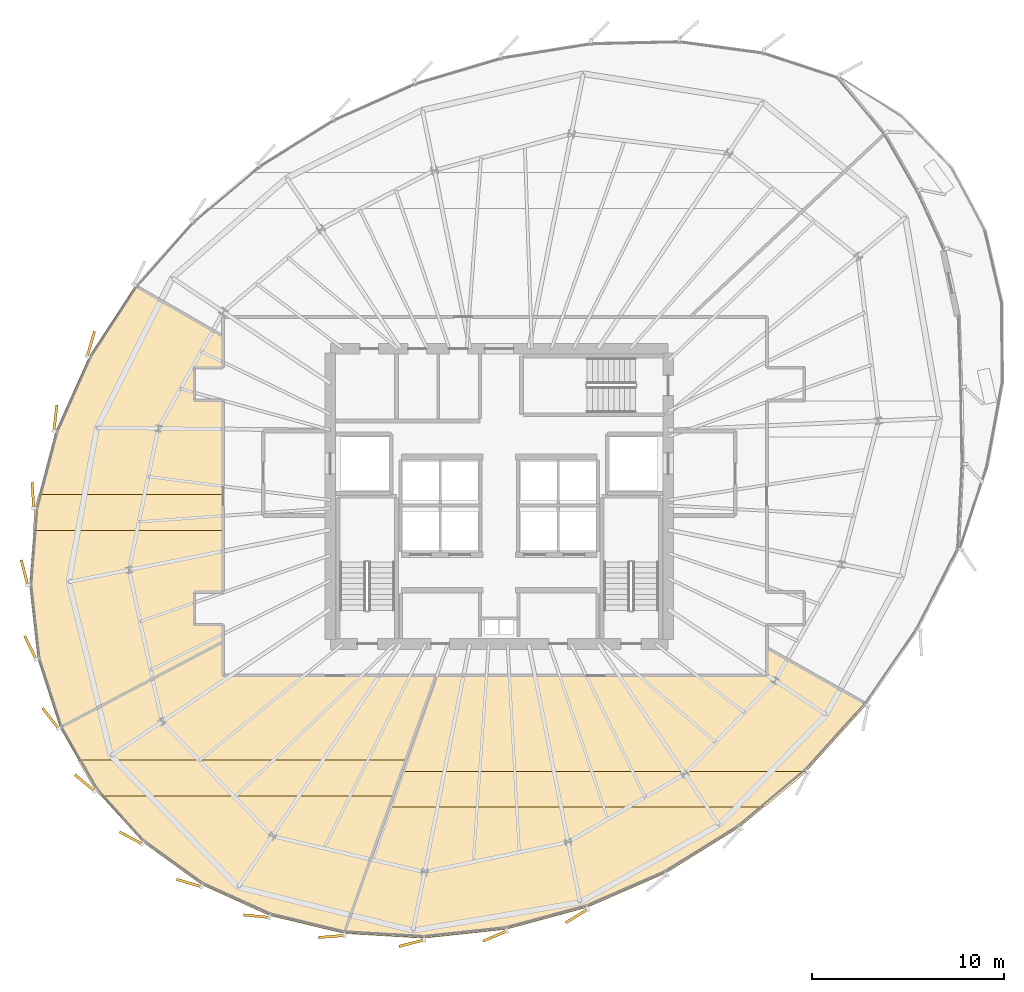
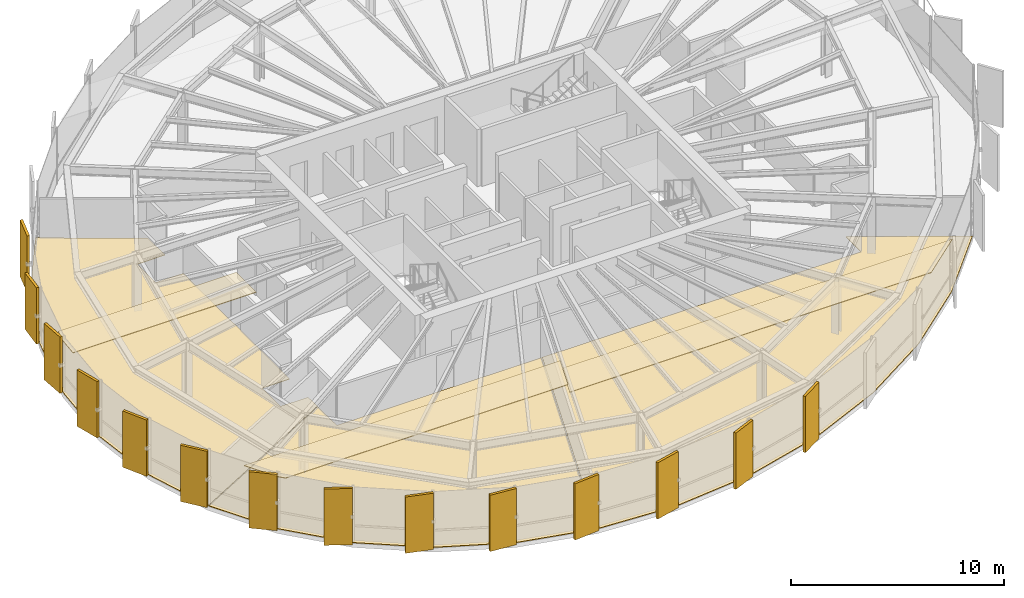
# One storey, part 33 of 35: 20 coverings.
"""IFC4 building model written with IfcOpenShell, lengths in metres."""

from ifc_helpers import new_model, si_unit, direction, frame, origin, origin_2d, place, context, subcontext, project, spatial, polyline, rectangle, outline, extrude, source, transform, mapped, material, layer, layer_set, type_object, element, save


model = new_model("IFC4")

# Units and contexts
model_context = context("Model", 3, precision=1e-05, world=origin(), true_north=direction((0.0, 1.0)))
body_context = subcontext(model_context, "Body", "Model", "MODEL_VIEW")
ifc_project = project(units=[si_unit("LENGTHUNIT", "METRE"), si_unit("AREAUNIT", "SQUARE_METRE"), si_unit("VOLUMEUNIT", "CUBIC_METRE"), si_unit("PLANEANGLEUNIT", "RADIAN"), si_unit("MASSUNIT", "GRAM", prefix="KILO"), si_unit("THERMODYNAMICTEMPERATUREUNIT", "KELVIN")], contexts=[model_context])

# Site, building, storey
site_placement = place(None, origin())
site = spatial("IfcSite", under=ifc_project, at=site_placement, CompositionType="ELEMENT")
building_placement = place(site_placement, origin())
building = spatial("IfcBuilding", under=site, at=building_placement, Name="Kethvar Cultural Tower", CompositionType="ELEMENT")
storey_placement = place(building_placement, frame((0.0, 0.0, 179.89990234375)))
storey = spatial("IfcBuildingStorey", under=building, at=storey_placement, Name="L46", CompositionType="ELEMENT", Elevation=179.89990234375)

# Coverings
ifc_material_1 = material(Name="Acoustic Mineral Fibre Ceiling")
ifc_layer_1 = layer(ifc_material_1, 0.0400390625, Name="Acoustic Mineral Fibre Ceiling")
ifc_layer_set_1 = layer_set([ifc_layer_1], Name="Acoustic Mineral Fibre Ceiling (40 mm)")
covering_type_1 = type_object("IfcCoveringType", Name="CV-ACOUSTIC-CEIL", PredefinedType="CEILING", material=ifc_layer_set_1)
covering_1_placement = place(storey_placement, frame((0.0, 0.0, 3.0)))
element("IfcCovering", 1, at=covering_1_placement, inside=storey, type_object=covering_type_1, Name="L46 Room 01 Acoustic Ceiling Panel", PredefinedType="CEILING", context=body_context, shape_type="SweptSolid", body=[
    extrude(outline(polyline([(25.731201171875, 12.489990234375), (24.835205078125, 14.047119140625), (41.957275390625, 14.047119140625), (41.2958984375, 12.177001953125), (26.013916015625, 12.177001953125), (25.731201171875, 12.489990234375)])), origin(), (0.0, 0.0, 1.0), 0.0400390625),
])
covering_2_placement = place(storey_placement, frame((0.0, 0.0, 3.0)))
element("IfcCovering", 2, at=covering_2_placement, inside=storey, type_object=covering_type_1, Name="L46 Room 02 Acoustic Ceiling Panel", PredefinedType="CEILING", context=body_context, shape_type="SweptSolid", body=[
    extrude(outline(polyline([(60.620849609375, 11.592041015625), (41.046630859375, 11.592041015625), (41.7080078125, 13.4619140625), (62.84423828125, 13.4619140625), (60.620849609375, 11.592041015625)])), origin(), (0.0, 0.0, 1.0), 0.0400390625),
])
covering_3_placement = place(storey_placement, frame((0.0, 0.0, 3.0)))
element("IfcCovering", 3, at=covering_3_placement, inside=storey, type_object=covering_type_1, Name="L46 Room 05 Acoustic Ceiling Panel", PredefinedType="CEILING", context=body_context, shape_type="SweptSolid", body=[
    extrude(outline(polyline([(22.591552734375, 27.177978515625), (22.777587890625, 27.891357421875), (32.419921875, 27.891357421875), (32.419921875, 26.021484375), (22.50048828125, 26.021484375), (22.591552734375, 27.177978515625)])), origin(), (0.0, 0.0, 1.0), 0.0400390625),
])
ifc_material_2 = material(Name="Honed Warm Limestone", Category="masonry")
ifc_layer_2 = layer(ifc_material_2, 0.030029296875, Name="Honed Warm Limestone", Category="masonry")
ifc_layer_set_2 = layer_set([ifc_layer_2], Name="Honed Warm Limestone (30 mm)")
covering_type_2 = type_object("IfcCoveringType", Name="CV-STONE-FLOOR", PredefinedType="FLOORING", material=ifc_layer_set_2)
covering_4_placement = place(storey_placement, origin())
element("IfcCovering", 4, at=covering_4_placement, inside=storey, type_object=covering_type_2, Name="L46 Room 01 Floor Finish", PredefinedType="FLOORING", context=body_context, shape_type="SweptSolid", body=[
    extrude(outline(polyline([(34.843017578125, 5.942138671875), (31.314697265625, 7.540283203125), (28.2568359375, 9.75390625), (25.762451171875, 12.51513671875), (23.916015625, 15.724853515625), (32.3798828125, 20.1826171875), (32.39599609375, 18.430419921875), (43.46484375, 18.429931640625), (38.719482421875, 5.01171875), (34.843017578125, 5.942138671875)])), origin(), (0.0, 0.0, 1.0), 0.030029296875),
])
covering_5_placement = place(storey_placement, origin())
element("IfcCovering", 5, at=covering_5_placement, inside=storey, type_object=covering_type_2, Name="L46 Room 02 Floor Finish", PredefinedType="FLOORING", context=body_context, shape_type="SweptSolid", body=[
    extrude(outline(polyline([(62.82373046875, 13.4970703125), (59.327880859375, 10.556640625), (55.48388671875, 8.164306640625), (51.3759765625, 6.36865234375), (47.129150390625, 5.224365234375), (42.872314453125, 4.76611328125), (38.760009765625, 5.00634765625), (43.50732421875, 18.429931640625), (60.751953125, 18.43017578125), (60.77001953125, 19.860595703125), (65.929931640625, 16.936767578125), (62.82373046875, 13.4970703125)])), origin(), (0.0, 0.0, 1.0), 0.030029296875),
])
covering_6_placement = place(storey_placement, origin())
element("IfcCovering", 6, at=covering_6_placement, inside=storey, type_object=covering_type_2, Name="L46 Room 05 Floor Finish", PredefinedType="FLOORING", context=body_context, shape_type="SweptSolid", body=[
    extrude(outline(polyline([(22.74658203125, 19.333251953125), (22.31689453125, 23.182861328125), (22.631103515625, 27.173095703125), (23.6796875, 31.182373046875), (25.430908203125, 35.08935546875), (27.822021484375, 38.760009765625), (32.3798828125, 36.122314453125), (32.3798828125, 34.52001953125), (30.8798828125, 34.5), (30.884521484375, 32.787353515625), (32.3798828125, 32.780029296875), (32.3798828125, 22.820068359375), (30.884521484375, 22.812744140625), (30.880126953125, 21.097900390625), (32.3798828125, 21.080078125), (32.3798828125, 20.227783203125), (23.900146484375, 15.76171875), (22.74658203125, 19.333251953125)])), origin(), (0.0, 0.0, 1.0), 0.030029296875),
])
ifc_material_3 = material(Name="Extruded Architectural Terracotta", Category="masonry")
ifc_layer_3 = layer(ifc_material_3, 0.135009765625, Name="Extruded Architectural Terracotta", Category="masonry")
ifc_layer_set_3 = layer_set([ifc_layer_3], Name="Extruded Architectural Terracotta (135 mm)")
covering_type_3 = type_object("IfcCoveringType", Name="Terracotta Facade Fin FIN-03", PredefinedType="CLADDING", material=ifc_layer_set_3)
shared_shape = source(origin(), body_context, "Body", "SweptSolid", [
    extrude(rectangle(XDim=1.35009765625, YDim=0.135009765625, at=origin_2d()), origin(), (0.0, 0.0, 1.0), 3.219970703125),
])
for number, where, z_axis, x_axis, name in (
    (7, (25.511962890625, 35.744384765625, 0.02001953125), (0.0, 0.0, 1.0), (0.277985336053, 0.960585317887, 0.0), "L46 Vertical Terracotta Fin 3.1"),
    (8, (23.66162109375, 31.8798828125, 0.02001953125), (0.0, 0.0, 1.0), (0.115977344809, 0.993251859042, 0.0), "L46 Vertical Terracotta Fin 3.2"),
    (9, (22.490478515625, 27.8564453125, 0.02001953125), (0.0, 0.0, 1.0), (-0.061048539535, 0.998134798422, 0.0), "L46 Vertical Terracotta Fin 3.3"),
    (10, (22.0498046875, 23.827392578125, 0.02001953125), (0.0, 0.0, 1.0), (-0.248182704141, 0.968713242072, 0.0), "L46 Vertical Terracotta Fin 3.4"),
    (11, (22.35595703125, 19.91162109375, 0.02001953125), (0.0, 0.0, 1.0), (-0.436801788368, 0.899557778955, 0.0), "L46 Vertical Terracotta Fin 3.5"),
    (12, (23.404296875, 16.2255859375, 0.02001953125), (0.0, 0.0, 1.0), (-0.614422911896, 0.788976859824, 0.0), "L46 Vertical Terracotta Fin 3.6"),
    (13, (25.195068359375, 12.85400390625, 0.02001953125), (0.0, 0.0, 1.0), (-0.767053186051, 0.641583517377, 0.0), "L46 Vertical Terracotta Fin 4.1"),
    (14, (27.599853515625, 9.98974609375, 0.02001953125), (0.0, 0.0, 1.0), (-0.883765630089, 0.467929814261, 0.0), "L46 Vertical Terracotta Fin 4.2"),
    (15, (30.6240234375, 7.64013671875, 0.02001953125), (0.0, 0.0, 1.0), (-0.959461676674, 0.281839122541, 0.0), "L46 Vertical Terracotta Fin 4.3"),
    (16, (34.14599609375, 5.909912109375, 0.02001953125), (0.0, 0.0, 1.0), (-0.995396198367, 0.09584575252, 0.0), "L46 Vertical Terracotta Fin 4.4"),
    (17, (38.0546875, 4.853271484375, 0.02001953125), (0.0, 0.0, 1.0), (-0.996694347809, -0.081242704565, 0.0), "L46 Vertical Terracotta Fin 4.5"),
    (18, (42.226806640625, 4.501708984375, 0.02001953125), (0.0, 0.0, 1.0), (-0.969701703584, -0.244292050763, 0.0), "L46 Vertical Terracotta Fin 4.6"),
    (19, (46.5703125, 4.872802734375, 0.02001953125), (0.0, 0.0, 1.0), (-0.919958392769, -0.392016014434, 0.0), "L46 Vertical Terracotta Fin 5.1"),
    (20, (50.839599609375, 5.922607421875, 0.02001953125), (0.0, 0.0, 1.0), (-0.851635468378, -0.524134552382, 0.0), "L46 Vertical Terracotta Fin 5.2"),
):
    element("IfcCovering", number, at=place(storey_placement, frame(where, z_axis=z_axis, x_axis=x_axis)), inside=storey, type_object=covering_type_3, Name=name, PredefinedType="CLADDING", context=body_context, shape_type="MappedRepresentation", body=[
        mapped(shared_shape, transform((0.0, 0.0, 0.0), scale=1.0)),
    ])

save(model, "model.ifc")
